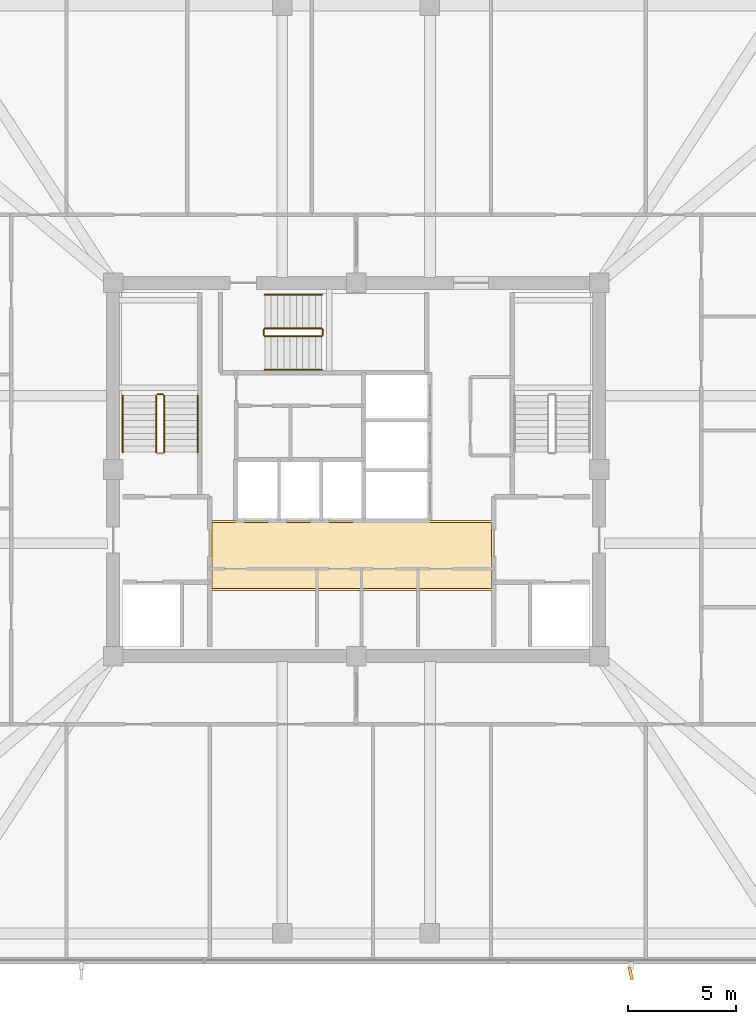
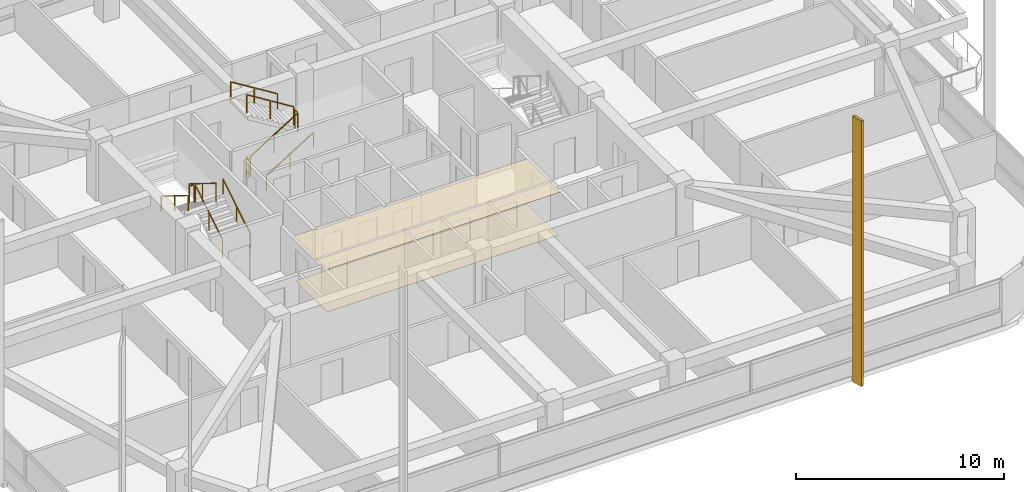
# One storey, part 15 of 17: 11 railings, 2 coverings, 1 shading device.
"""IFC4 building model written with IfcOpenShell, lengths in metres."""

import ifcopenshell
import ifcopenshell.guid

model = None  # the IFC model being written
_history = None  # IfcOwnerHistory: only IFC2X3 demands one
_inside = {}  # id of a spatial element -> (the spatial element, [elements in it])
_under = {}  # id of a project, library or spatial element -> (it, [spatial elements below it])
_declared = {}  # id of a project -> (the project, [libraries it declares])
_typed = {}  # id of a type object -> (the type object, [elements of that type])
_made_of = {}  # id of a material, layer set ... -> (it, [elements and type objects made of it])


def new_model(schema):
    """Start an empty IFC model of exactly this schema.

    Asked for "IFC4X3", IfcOpenShell would pick the latest addendum, in which some entities
    have other attributes; the version numbers below select the first issue.
    IFC2X3 requires an IfcOwnerHistory on every rooted entity: one is made here for all.
    """
    global model, _history
    if schema == "IFC4X3":
        model = ifcopenshell.file(schema_version=(4, 3, 0, 0))
    else:
        model = ifcopenshell.file(schema=schema)
    _inside.clear()
    _under.clear()
    _declared.clear()
    _typed.clear()
    _made_of.clear()
    _history = None
    if model.schema == "IFC2X3":
        org = make("IfcOrganization", Name="unknown")
        user = make(
            "IfcPersonAndOrganization",
            ThePerson=make("IfcPerson", FamilyName="unknown"),
            TheOrganization=org,
        )
        app = make(
            "IfcApplication",
            ApplicationDeveloper=org,
            Version="unknown",
            ApplicationFullName="unknown",
            ApplicationIdentifier="unknown",
        )
        _history = make(
            "IfcOwnerHistory",
            OwningUser=user,
            OwningApplication=app,
            ChangeAction="ADDED",
            CreationDate=0,
        )
    return model


def make(cls, **values):
    """One entity of the class cls with the attributes given. An attribute that is None is left unset."""
    return model.create_entity(
        cls, **{name: value for name, value in values.items() if value is not None}
    )


def rooted(cls, **values):
    """An entity with a GlobalId (a new one), such as an element, a storey or a relation."""
    return make(cls, GlobalId=ifcopenshell.guid.new(), OwnerHistory=_history, **values)


def si_unit(unit_type, name, prefix=None):
    """IfcSIUnit, for example si_unit("LENGTHUNIT", "METRE", prefix="MILLI")."""
    return make("IfcSIUnit", UnitType=unit_type, Prefix=prefix, Name=name)


def derived_unit(unit_type, elements):
    """IfcDerivedUnit: a product of units, each with its exponent."""
    return make(
        "IfcDerivedUnit",
        Elements=[
            make("IfcDerivedUnitElement", Unit=unit, Exponent=power)
            for unit, power in elements
        ],
        UnitType=unit_type,
    )


def assignment(units):
    """IfcUnitAssignment: the units of a project."""
    return None if units is None else make("IfcUnitAssignment", Units=units)


def point(xyz):
    """IfcCartesianPoint."""
    return None if xyz is None else make("IfcCartesianPoint", Coordinates=xyz)


def direction(xyz):
    """IfcDirection."""
    return None if xyz is None else make("IfcDirection", DirectionRatios=xyz)


def frame(location, z_axis=None, x_axis=None):
    """IfcAxis2Placement3D, a coordinate frame: its origin and axes. An axis left out is left unset."""
    return make(
        "IfcAxis2Placement3D",
        Location=point(location),
        Axis=direction(z_axis),
        RefDirection=direction(x_axis),
    )


def frame_2d(location, x_axis=None):
    """IfcAxis2Placement2D, a coordinate frame in the plane: its origin and x axis."""
    return make(
        "IfcAxis2Placement2D", Location=point(location), RefDirection=direction(x_axis)
    )


def origin():
    """The frame at (0, 0, 0) with its axes left unset."""
    return frame((0.0, 0.0, 0.0))


def origin_2d():
    """The frame at (0, 0) in the plane with its x axis left unset."""
    return frame_2d((0.0, 0.0))


def place(relative_to, where):
    """IfcLocalPlacement: puts the frame where relative to a parent placement (None: the world)."""
    return make(
        "IfcLocalPlacement", PlacementRelTo=relative_to, RelativePlacement=where
    )


def context(
    kind, dimensions, precision=None, world=None, true_north=None, identifier=None
):
    """IfcGeometricRepresentationContext, for example the 3D "Model" context."""
    return make(
        "IfcGeometricRepresentationContext",
        ContextIdentifier=identifier,
        ContextType=kind,
        CoordinateSpaceDimension=dimensions,
        Precision=precision,
        WorldCoordinateSystem=world,
        TrueNorth=true_north,
    )


def subcontext(parent, identifier, kind, view, scale=None):
    """IfcGeometricRepresentationSubContext, for example "Body" below "Model"."""
    return make(
        "IfcGeometricRepresentationSubContext",
        ContextIdentifier=identifier,
        ContextType=kind,
        ParentContext=parent,
        TargetScale=scale,
        TargetView=view,
    )


def project(units=None, contexts=None):
    """IfcProject with its units and contexts."""
    return rooted(
        "IfcProject",
        Name="project",
        RepresentationContexts=contexts,
        UnitsInContext=assignment(units),
    )


def spatial(cls, under=None, at=None, **own):
    """A site, building, storey or space (cls), placed at a placement, below another one or the project."""
    s = rooted(cls, ObjectPlacement=at, **own)
    if under is not None:
        _under.setdefault(under.id(), (under, []))[1].append(s)
    return s


def polyline(points):
    """IfcPolyline through the points."""
    return make("IfcPolyline", Points=[point(p) for p in points])


def profile(cls, at=None, kind="AREA", **sizes):
    """A parametric profile (cls). Its sizes go by their IFC names, for example OverallWidth=200.0."""
    return make(cls, ProfileType=kind, Position=at, **sizes)


def rectangle(**sizes):
    """IfcRectangleProfileDef."""
    return profile("IfcRectangleProfileDef", **sizes)


def outline(outer, holes=None, kind="AREA"):
    """IfcArbitraryClosedProfileDef: a profile drawn as a closed curve; with holes, ...WithVoids."""
    if holes is None:
        return make("IfcArbitraryClosedProfileDef", ProfileType=kind, OuterCurve=outer)
    return make(
        "IfcArbitraryProfileDefWithVoids",
        ProfileType=kind,
        OuterCurve=outer,
        InnerCurves=holes,
    )


def extrude(swept, where, along, depth):
    """IfcExtrudedAreaSolid: the profile swept, set in the frame where, extruded along a direction by depth."""
    return make(
        "IfcExtrudedAreaSolid",
        SweptArea=swept,
        Position=where,
        ExtrudedDirection=direction(along),
        Depth=depth,
    )


def shape(context_of_items, identifier, shape_type, items):
    """IfcShapeRepresentation: the items that make up one representation, for example the "Body"."""
    return make(
        "IfcShapeRepresentation",
        ContextOfItems=context_of_items,
        RepresentationIdentifier=identifier,
        RepresentationType=shape_type,
        Items=items,
    )


def material(Name=None, Category=None):
    """IfcMaterial."""
    return make("IfcMaterial", Name=Name, Category=Category)


def layer(
    of_material, thickness, ventilated=None, Name=None, Category=None, Priority=None
):
    """IfcMaterialLayer: one layer of a wall or slab, of a material (None: an air gap)."""
    return make(
        "IfcMaterialLayer",
        Material=of_material,
        LayerThickness=thickness,
        IsVentilated=ventilated,
        Name=Name,
        Category=Category,
        Priority=Priority,
    )


def layer_set(layers, Name=None):
    """IfcMaterialLayerSet."""
    return make("IfcMaterialLayerSet", MaterialLayers=layers, LayerSetName=Name)


def made_of(thing, what):
    """Note that an element or type object is made of a material, layer set ...; save() writes the relation."""
    if what is not None:
        _made_of.setdefault(what.id(), (what, []))[1].append(thing)
    return thing


def type_object(cls, material=None, **own):
    """A type object (cls), such as IfcWallType, which elements share."""
    return made_of(rooted(cls, **own), material)


def element(
    cls,
    number,
    at=None,
    inside=None,
    cuts=None,
    type_object=None,
    material=None,
    context=None,
    identifier="Body",
    shape_type=None,
    held_by="IfcProductDefinitionShape",
    body=None,
    shapes=None,
    **own,
):
    """One element of the class cls, such as IfcWall. Its Tag is "e" and its number.

    at: its placement. inside: the storey or other place that contains it. cuts: it is an
    opening in that element (IfcRelVoidsElement). A single representation is given by context,
    identifier, shape_type and body (its items); several are given by shapes. held_by: the class
    of the entity that holds the representations. save() writes the other relations.
    """
    e = rooted(cls, Tag="e%d" % number, ObjectPlacement=at, **own)
    if body is not None:
        shapes = [shape(context, identifier, shape_type, body)]
    if shapes is not None:
        e.Representation = make(held_by, Representations=shapes)
    if inside is not None:
        _inside.setdefault(inside.id(), (inside, []))[1].append(e)
    if cuts is not None:
        rooted(
            "IfcRelVoidsElement", RelatingBuildingElement=cuts, RelatedOpeningElement=e
        )
    if type_object is not None:
        _typed.setdefault(type_object.id(), (type_object, []))[1].append(e)
    return made_of(e, material)


def aggregate(whole, parts):
    """IfcRelAggregates: a whole, such as a stair, and the parts it consists of."""
    return rooted("IfcRelAggregates", RelatingObject=whole, RelatedObjects=parts)


def save(model, path):
    """Write the relations noted so far, then the file.

    IfcRelAggregates (storeys below a building ...), IfcRelContainedInSpatialStructure (elements
    in a storey), IfcRelDefinesByType, IfcRelAssociatesMaterial and IfcRelDeclares: one each for
    every whole, place, type object, material and project.
    """
    for whole, parts in _under.values():
        aggregate(whole, parts)
    for where, things in _inside.values():
        rooted(
            "IfcRelContainedInSpatialStructure",
            RelatedElements=things,
            RelatingStructure=where,
        )
    for kind, things in _typed.values():
        rooted("IfcRelDefinesByType", RelatedObjects=things, RelatingType=kind)
    for what, things in _made_of.values():
        rooted("IfcRelAssociatesMaterial", RelatedObjects=things, RelatingMaterial=what)
    for by, libraries in _declared.values():
        rooted("IfcRelDeclares", RelatingContext=by, RelatedDefinitions=libraries)
    model.write(path)


model = new_model("IFC4")

# Units and contexts
model_context = context("Model", 3, precision=1e-05, world=origin(), true_north=direction((0.0, 1.0)))
body_context = subcontext(model_context, "Body", "Model", "MODEL_VIEW")
ifc_project = project(units=[si_unit("LENGTHUNIT", "METRE"), si_unit("AREAUNIT", "SQUARE_METRE"), si_unit("VOLUMEUNIT", "CUBIC_METRE"), si_unit("PLANEANGLEUNIT", "RADIAN"), si_unit("MASSUNIT", "GRAM", prefix="KILO"), derived_unit("THERMALTRANSMITTANCEUNIT", [(si_unit("POWERUNIT", "WATT"), 1), (si_unit("LENGTHUNIT", "METRE"), -2), (si_unit("THERMODYNAMICTEMPERATUREUNIT", "KELVIN"), -1)])], contexts=[model_context])

# Site, building, storey
site_placement = place(None, origin())
site = spatial("IfcSite", under=ifc_project, at=site_placement, CompositionType="ELEMENT")
building_placement = place(site_placement, origin())
building = spatial("IfcBuilding", under=site, at=building_placement, Name="Koralith Skygarden Medical Center", CompositionType="ELEMENT")
storey_placement = place(building_placement, frame((0.0, 0.0, 221.580078125)))
storey = spatial("IfcBuildingStorey", under=building, at=storey_placement, Name="L57", CompositionType="ELEMENT", Elevation=221.580078125)

# Covering
ifc_material_1 = material(Name="Acoustic Mineral Tile")
ifc_layer_1 = layer(ifc_material_1, 0.02001953125)
ifc_layer_set_1 = layer_set([ifc_layer_1], Name="Acoustic Mineral Tile")
covering_type_1 = type_object("IfcCoveringType", Name="Acoustic Hygienic Mineral Ceiling 20", PredefinedType="CEILING", material=ifc_layer_set_1)
covering_1_placement = place(storey_placement, frame((0.0, 0.0, 2.5849609375)))
element("IfcCovering", 1, at=covering_1_placement, inside=storey, type_object=covering_type_1, Name="L57 Core Lobby Acoustic Ceiling", PredefinedType="CEILING", context=body_context, shape_type="SweptSolid", body=[
    extrude(outline(polyline([(30.25, 20.320068359375), (43.35009765625, 20.320068359375), (43.35009765625, 23.56005859375), (30.25, 23.56005859375), (30.25, 20.320068359375)])), origin(), (0.0, 0.0, 1.0), 0.02001953125),
])

# Shading device
ifc_material_2 = material(Name="Aluminium 6063-T6", Category="aluminium")
shading_device_type = type_object("IfcShadingDeviceType", Name="Limestone-Clad Solar Storm Fin 600", PredefinedType="USERDEFINED", material=ifc_material_2)
shading_device_placement = place(storey_placement, frame((49.655029296875, 2.679931640625, -0.199951171875), z_axis=(0.0, 0.0, 1.0), x_axis=(0.23724508682, -0.971449828236, 0.0)))
element("IfcShadingDevice", 2, at=shading_device_placement, inside=storey, type_object=shading_device_type, Name="L57 S Harmonic Solar Storm Fin 2", ObjectType="SOLAR FIN", PredefinedType="USERDEFINED", context=body_context, shape_type="SweptSolid", body=[
    extrude(rectangle(XDim=0.60009765625, YDim=0.139892578125, at=origin_2d()), origin(), (0.0, 0.0, 1.0), 15.6298828125),
])

# Covering
ifc_material_3 = material(Name="Medical Terrazzo Flooring")
ifc_layer_2 = layer(ifc_material_3, 0.014892578125)
ifc_layer_set_2 = layer_set([ifc_layer_2], Name="Medical Terrazzo Flooring")
covering_type_2 = type_object("IfcCoveringType", Name="Seamless Antimicrobial Terrazzo Flooring 15", PredefinedType="FLOORING", material=ifc_layer_set_2)
covering_2_placement = place(storey_placement, origin())
element("IfcCovering", 3, at=covering_2_placement, inside=storey, type_object=covering_type_2, Name="L57 Core Lobby Terrazzo Flooring", PredefinedType="FLOORING", context=body_context, shape_type="SweptSolid", body=[
    extrude(outline(polyline([(30.35009765625, 20.419921875), (43.25, 20.419921875), (43.25, 23.4599609375), (30.35009765625, 23.4599609375), (30.35009765625, 20.419921875)])), origin(), (0.0, 0.0, 1.0), 0.014892578125),
])

# Railings
ifc_material_4 = material(Name="Steel ASTM A500 Grade C", Category="steel")
railing_type_1 = type_object("IfcRailingType", Name="Stair Flight Tubular Handrail 920", PredefinedType="HANDRAIL", material=ifc_material_4)
railing_1_placement = place(storey_placement, frame((29.699951171875, 26.699951171875, 0.179931640625)))
element("IfcRailing", 4, at=railing_1_placement, inside=storey, type_object=railing_type_1, Name="L57 ST1 stair handrail 1", PredefinedType="HANDRAIL", context=body_context, shape_type="SweptSolid", body=[
    extrude(rectangle(XDim=0.050048828125, YDim=0.050048828125, at=origin_2d()), frame((0.0, 0.001708984375, 0.89599609375), z_axis=(0.0, 0.849668407637, 0.527317358963), x_axis=(-1.0, 0.0, 0.0)), (0.0, 0.0, 1.0), 3.06787109375),
    extrude(rectangle(XDim=0.0419921875, YDim=0.0419921875, at=origin_2d()), origin(), (0.0, 0.0, 1.0), 0.867919921875),
    extrude(rectangle(XDim=0.0419921875, YDim=0.0419921875, at=origin_2d()), frame((0.0, 1.30517578125, 0.81005859375)), (0.0, 0.0, 1.0), 0.867919921875),
    extrude(rectangle(XDim=0.0419921875, YDim=0.0419921875, at=origin_2d()), frame((0.0, 2.610107421875, 1.619873046875)), (0.0, 0.0, 1.0), 0.867919921875),
])
railing_2_placement = place(storey_placement, frame((26.25, 29.31005859375, 1.97998046875)))
element("IfcRailing", 5, at=railing_2_placement, inside=storey, type_object=railing_type_1, Name="L57 ST1 stair handrail 2", PredefinedType="HANDRAIL", context=body_context, shape_type="SweptSolid", body=[
    extrude(rectangle(XDim=0.050048828125, YDim=0.050048828125, at=origin_2d()), frame((0.0, -0.001708984375, 0.89599609375), z_axis=(0.0, -0.849668407637, 0.527317358963), x_axis=(1.0, 0.0, 0.0)), (0.0, 0.0, 1.0), 3.06787109375),
    extrude(rectangle(XDim=0.0419921875, YDim=0.0419921875, at=origin_2d()), origin(), (0.0, 0.0, 1.0), 0.867919921875),
    extrude(rectangle(XDim=0.0419921875, YDim=0.0419921875, at=origin_2d()), frame((0.0, -1.30517578125, 0.81005859375)), (0.0, 0.0, 1.0), 0.867919921875),
    extrude(rectangle(XDim=0.0419921875, YDim=0.0419921875, at=origin_2d()), frame((0.0, -2.610107421875, 1.619873046875)), (0.0, 0.0, 1.0), 0.867919921875),
])
railing_3_placement = place(storey_placement, frame((32.800048828125, 30.5, 0.179931640625)))
element("IfcRailing", 6, at=railing_3_placement, inside=storey, type_object=railing_type_1, Name="L57 ST3 stair handrail 1", PredefinedType="HANDRAIL", context=body_context, shape_type="SweptSolid", body=[
    extrude(rectangle(XDim=0.050048828125, YDim=0.050048828125, at=origin_2d()), frame((0.001708984375, 0.0, 0.89599609375), z_axis=(0.849646306263, 0.0, 0.527352969322), x_axis=(0.0, 1.0, 0.0)), (0.0, 0.0, 1.0), 3.067626953125),
    extrude(rectangle(XDim=0.0419921875, YDim=0.0419921875, at=origin_2d()), origin(), (0.0, 0.0, 1.0), 0.867919921875),
    extrude(rectangle(XDim=0.0419921875, YDim=0.0419921875, at=origin_2d()), frame((1.304931640625, 0.0, 0.81005859375)), (0.0, 0.0, 1.0), 0.867919921875),
    extrude(rectangle(XDim=0.0419921875, YDim=0.0419921875, at=origin_2d()), frame((2.60986328125, 0.0, 1.619873046875)), (0.0, 0.0, 1.0), 0.867919921875),
])
railing_4_placement = place(storey_placement, frame((35.409912109375, 33.949951171875, 1.97998046875)))
element("IfcRailing", 7, at=railing_4_placement, inside=storey, type_object=railing_type_1, Name="L57 ST3 stair handrail 2", PredefinedType="HANDRAIL", context=body_context, shape_type="SweptSolid", body=[
    extrude(rectangle(XDim=0.050048828125, YDim=0.050048828125, at=origin_2d()), frame((-0.001708984375, 0.0, 0.89599609375), z_axis=(-0.849646306263, 0.0, 0.527352969322), x_axis=(0.0, -1.0, 0.0)), (0.0, 0.0, 1.0), 3.067626953125),
    extrude(rectangle(XDim=0.0419921875, YDim=0.0419921875, at=origin_2d()), origin(), (0.0, 0.0, 1.0), 0.867919921875),
    extrude(rectangle(XDim=0.0419921875, YDim=0.0419921875, at=origin_2d()), frame((-1.304931640625, 0.0, 0.81005859375)), (0.0, 0.0, 1.0), 0.867919921875),
    extrude(rectangle(XDim=0.0419921875, YDim=0.0419921875, at=origin_2d()), frame((-2.60986328125, 0.0, 1.619873046875)), (0.0, 0.0, 1.0), 0.867919921875),
])
railing_type_2 = type_object("IfcRailingType", Name="Stair Well Safety Guardrail 1100", PredefinedType="GUARDRAIL", material=ifc_material_4)
railing_5_placement = place(storey_placement, frame((28.14990234375, 26.699951171875, 0.179931640625)))
element("IfcRailing", 8, at=railing_5_placement, inside=storey, type_object=railing_type_2, Name="L57 ST1 stair guard 1", PredefinedType="GUARDRAIL", context=body_context, shape_type="SweptSolid", body=[
    extrude(rectangle(XDim=0.050048828125, YDim=0.050048828125, at=origin_2d()), frame((0.0, 0.001708984375, 1.076171875), z_axis=(0.0, 0.849668407637, 0.527317358963), x_axis=(-1.0, 0.0, 0.0)), (0.0, 0.0, 1.0), 3.06787109375),
    extrude(rectangle(XDim=0.0419921875, YDim=0.0419921875, at=origin_2d()), origin(), (0.0, 0.0, 1.0), 1.048095703125),
    extrude(rectangle(XDim=0.0419921875, YDim=0.0419921875, at=origin_2d()), frame((0.0, 1.30517578125, 0.81005859375)), (0.0, 0.0, 1.0), 1.048095703125),
    extrude(rectangle(XDim=0.0419921875, YDim=0.0419921875, at=origin_2d()), frame((0.0, 2.610107421875, 1.619873046875)), (0.0, 0.0, 1.0), 1.048095703125),
])
railing_6_placement = place(storey_placement, frame((28.10009765625, 29.360107421875, 1.7998046875)))
element("IfcRailing", 9, at=railing_6_placement, inside=storey, type_object=railing_type_2, Name="L57 ST1 stair guard 2", PredefinedType="GUARDRAIL", context=body_context, shape_type="SweptSolid", body=[
    extrude(rectangle(XDim=0.050048828125, YDim=0.050048828125, at=origin_2d()), frame((-0.001953125, 0.0, 1.0751953125), z_axis=(-1.0, 0.0, 0.0), x_axis=(0.0, -1.0, 0.0)), (0.0, 0.0, 1.0), 0.24609375),
    extrude(rectangle(XDim=0.0419921875, YDim=0.0419921875, at=origin_2d()), origin(), (0.0, 0.0, 1.0), 1.048095703125),
    extrude(rectangle(XDim=0.0419921875, YDim=0.0419921875, at=origin_2d()), frame((-0.25, 0.0, 0.0)), (0.0, 0.0, 1.0), 1.048095703125),
])
railing_7_placement = place(storey_placement, frame((27.800048828125, 29.31005859375, 1.97998046875)))
element("IfcRailing", 10, at=railing_7_placement, inside=storey, type_object=railing_type_2, Name="L57 ST1 stair guard 3", PredefinedType="GUARDRAIL", context=body_context, shape_type="SweptSolid", body=[
    extrude(rectangle(XDim=0.050048828125, YDim=0.050048828125, at=origin_2d()), frame((0.0, -0.001708984375, 1.076171875), z_axis=(0.0, -0.849668407637, 0.527317358963), x_axis=(1.0, 0.0, 0.0)), (0.0, 0.0, 1.0), 3.06787109375),
    extrude(rectangle(XDim=0.0419921875, YDim=0.0419921875, at=origin_2d()), origin(), (0.0, 0.0, 1.0), 1.048095703125),
    extrude(rectangle(XDim=0.0419921875, YDim=0.0419921875, at=origin_2d()), frame((0.0, -1.30517578125, 0.81005859375)), (0.0, 0.0, 1.0), 1.048095703125),
    extrude(rectangle(XDim=0.0419921875, YDim=0.0419921875, at=origin_2d()), frame((0.0, -2.610107421875, 1.619873046875)), (0.0, 0.0, 1.0), 1.048095703125),
])
railing_8_placement = place(storey_placement, frame((32.800048828125, 32.050048828125, 0.179931640625)))
element("IfcRailing", 11, at=railing_8_placement, inside=storey, type_object=railing_type_2, Name="L57 ST3 stair guard 1", PredefinedType="GUARDRAIL", context=body_context, shape_type="SweptSolid", body=[
    extrude(rectangle(XDim=0.050048828125, YDim=0.050048828125, at=origin_2d()), frame((0.001708984375, 0.0, 1.076171875), z_axis=(0.849646306263, 0.0, 0.527352969322), x_axis=(0.0, 1.0, 0.0)), (0.0, 0.0, 1.0), 3.067626953125),
    extrude(rectangle(XDim=0.0419921875, YDim=0.0419921875, at=origin_2d()), origin(), (0.0, 0.0, 1.0), 1.048095703125),
    extrude(rectangle(XDim=0.0419921875, YDim=0.0419921875, at=origin_2d()), frame((1.304931640625, 0.0, 0.81005859375)), (0.0, 0.0, 1.0), 1.048095703125),
    extrude(rectangle(XDim=0.0419921875, YDim=0.0419921875, at=origin_2d()), frame((2.60986328125, 0.0, 1.619873046875)), (0.0, 0.0, 1.0), 1.048095703125),
])
railing_9_placement = place(storey_placement, frame((35.4599609375, 32.10009765625, 1.7998046875)))
element("IfcRailing", 12, at=railing_9_placement, inside=storey, type_object=railing_type_2, Name="L57 ST3 stair guard 2", PredefinedType="GUARDRAIL", context=body_context, shape_type="SweptSolid", body=[
    extrude(rectangle(XDim=0.050048828125, YDim=0.050048828125, at=origin_2d()), frame((0.0, 0.001953125, 1.0751953125), z_axis=(0.0, 1.0, 0.0), x_axis=(-1.0, 0.0, 0.0)), (0.0, 0.0, 1.0), 0.24609375),
    extrude(rectangle(XDim=0.0419921875, YDim=0.0419921875, at=origin_2d()), origin(), (0.0, 0.0, 1.0), 1.048095703125),
    extrude(rectangle(XDim=0.0419921875, YDim=0.0419921875, at=origin_2d()), frame((0.0, 0.25, 0.0)), (0.0, 0.0, 1.0), 1.048095703125),
])
railing_10_placement = place(storey_placement, frame((35.409912109375, 32.39990234375, 1.97998046875)))
element("IfcRailing", 13, at=railing_10_placement, inside=storey, type_object=railing_type_2, Name="L57 ST3 stair guard 3", PredefinedType="GUARDRAIL", context=body_context, shape_type="SweptSolid", body=[
    extrude(rectangle(XDim=0.050048828125, YDim=0.050048828125, at=origin_2d()), frame((-0.001708984375, 0.0, 1.076171875), z_axis=(-0.849646306263, 0.0, 0.527352969322), x_axis=(0.0, -1.0, 0.0)), (0.0, 0.0, 1.0), 3.067626953125),
    extrude(rectangle(XDim=0.0419921875, YDim=0.0419921875, at=origin_2d()), origin(), (0.0, 0.0, 1.0), 1.048095703125),
    extrude(rectangle(XDim=0.0419921875, YDim=0.0419921875, at=origin_2d()), frame((-1.304931640625, 0.0, 0.81005859375)), (0.0, 0.0, 1.0), 1.048095703125),
    extrude(rectangle(XDim=0.0419921875, YDim=0.0419921875, at=origin_2d()), frame((-2.60986328125, 0.0, 1.619873046875)), (0.0, 0.0, 1.0), 1.048095703125),
])
railing_11_placement = place(storey_placement, frame((32.75, 32.10009765625, 0.0)))
element("IfcRailing", 14, at=railing_11_placement, inside=storey, type_object=railing_type_2, Name="L57 ST3 stair guard 4", PredefinedType="GUARDRAIL", context=body_context, shape_type="SweptSolid", body=[
    extrude(rectangle(XDim=0.050048828125, YDim=0.050048828125, at=origin_2d()), frame((0.0, 0.001953125, 1.0751953125), z_axis=(0.0, 1.0, 0.0), x_axis=(-1.0, 0.0, 0.0)), (0.0, 0.0, 1.0), 0.24609375),
    extrude(rectangle(XDim=0.0419921875, YDim=0.0419921875, at=origin_2d()), origin(), (0.0, 0.0, 1.0), 1.048095703125),
    extrude(rectangle(XDim=0.0419921875, YDim=0.0419921875, at=origin_2d()), frame((0.0, 0.25, 0.0)), (0.0, 0.0, 1.0), 1.048095703125),
])

save(model, "model.ifc")
